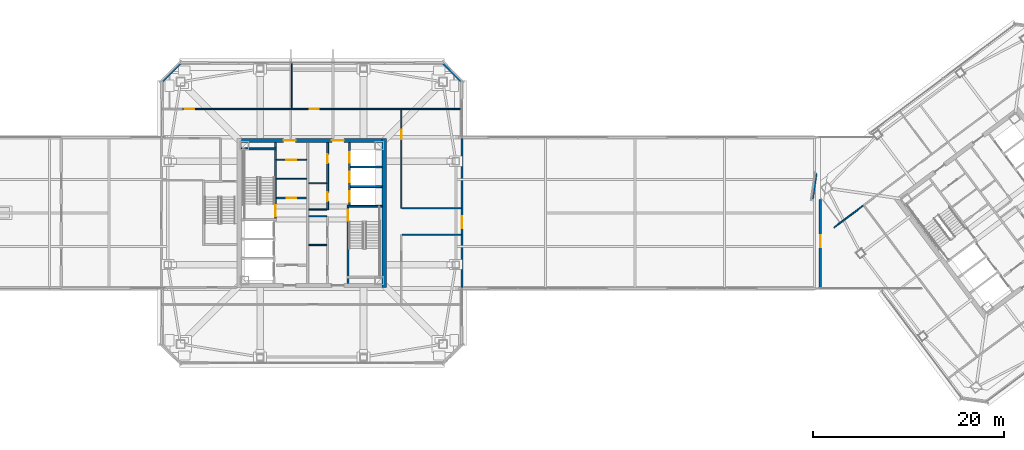
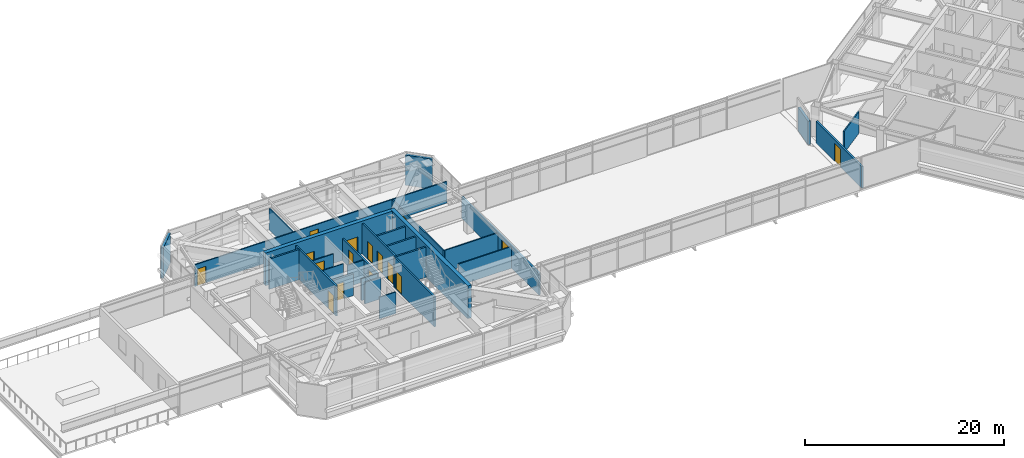
# One storey, part 42 of 51: 29 walls, 16 doors, 16 openings.
"""IFC4 building model written with IfcOpenShell, lengths in metres."""

from ifc_helpers import new_model, si_unit, direction, frame, frame_2d, origin, place, context, subcontext, project, spatial, rectangle, extrude, material, layer, layer_set, type_object, element, fill, save


model = new_model("IFC4")

# Units and contexts
model_context = context("Model", 3, precision=1e-05, world=origin(), true_north=direction((0.0, 1.0)))
body_context = subcontext(model_context, "Body", "Model", "MODEL_VIEW")
ifc_project = project(units=[si_unit("LENGTHUNIT", "METRE"), si_unit("AREAUNIT", "SQUARE_METRE"), si_unit("VOLUMEUNIT", "CUBIC_METRE"), si_unit("PLANEANGLEUNIT", "RADIAN"), si_unit("MASSUNIT", "GRAM", prefix="KILO")], contexts=[model_context])

# Site, building, storey
site_placement = place(None, origin())
site = spatial("IfcSite", under=ifc_project, at=site_placement, CompositionType="ELEMENT")
building_placement = place(site_placement, origin())
building = spatial("IfcBuilding", under=site, at=building_placement, Name="Tashvorn Skyway Center", CompositionType="ELEMENT")
storey_placement = place(building_placement, frame((0.0, 0.0, 259.39990234375)))
storey = spatial("IfcBuildingStorey", under=building, at=storey_placement, Name="L70", CompositionType="ELEMENT", Elevation=259.39990234375)

# Wall
ifc_material_1 = material(Name="Concrete C50/60", Category="concrete")
ifc_layer_1 = layer(ifc_material_1, 0.449951171875)
ifc_layer_set_1 = layer_set([ifc_layer_1], Name="Concrete C50/60")
wall_type_1 = type_object("IfcWallType", Name="WALL-CORE-450", PredefinedType="SHEAR", material=ifc_layer_set_1)
wall_1_placement = place(storey_placement, frame((49.574951171875, 39.800048828125, 0.0), z_axis=(0.0, 0.0, 1.0), x_axis=(0.0, -1.0, 0.0)))
element("IfcWall", 1, at=wall_1_placement, inside=storey, type_object=wall_type_1, Name="Tower 1 L70 East Core Shear Wall", PredefinedType="SHEAR", context=body_context, shape_type="SweptSolid", body=[
    extrude(rectangle(XDim=15.60009765625, YDim=0.449951171875, at=frame_2d((7.800048828125, 0.0))), origin(), (0.0, 0.0, 1.0), 4.0),
])

# Wall, openings, doors
wall_2_placement = place(storey_placement, frame((34.64990234375, 39.574951171875, 0.0), z_axis=(0.0, 0.0, 1.0), x_axis=(1.0, 0.0, 0.0)))
wall_2 = element("IfcWall", 2, at=wall_2_placement, inside=storey, type_object=wall_type_1, Name="Tower 1 L70 North Core Shear Wall", PredefinedType="SHEAR", context=body_context, shape_type="SweptSolid", body=[
    extrude(rectangle(XDim=14.7001953125, YDim=0.449951171875, at=frame_2d((7.35009765625, 0.0))), origin(), (0.0, 0.0, 1.0), 4.0),
])
opening_1_placement = place(wall_2_placement, frame((4.39990234375, 0.0, 0.0)))
opening_1 = element("IfcOpeningElement", 3, at=opening_1_placement, cuts=wall_2, Name="Opening D-FFL-1250", PredefinedType="OPENING", context=body_context, shape_type="SweptSolid", body=[
    extrude(rectangle(XDim=1.25, YDim=2.25, at=frame_2d((0.625, 1.125))), frame((0.0, 0.23486328125, 0.0), z_axis=(0.0, -1.0, 0.0), x_axis=(1.0, 0.0, 0.0)), (0.0, 0.0, 1.0), 0.469970703125),
])
opening_2_placement = place(wall_2_placement, frame((9.449951171875, 0.0, 0.0)))
opening_2 = element("IfcOpeningElement", 4, at=opening_2_placement, cuts=wall_2, Name="Opening D-FFL-1250", PredefinedType="OPENING", context=body_context, shape_type="SweptSolid", body=[
    extrude(rectangle(XDim=1.25, YDim=2.25, at=frame_2d((0.625, 1.125))), frame((0.0, 0.23486328125, 0.0), z_axis=(0.0, -1.0, 0.0), x_axis=(1.0, 0.0, 0.0)), (0.0, 0.0, 1.0), 0.469970703125),
])
ifc_material_2 = material(Name="Hollow galvanized steel fire door assembly", Category="steel")
door_type_1 = type_object("IfcDoorType", Name="DOOR-FFL-1250", OperationType="NOTDEFINED", PredefinedType="DOOR", material=ifc_material_2)
door_1_placement = place(opening_1_placement, origin())
door_1 = element("IfcDoor", 5, at=door_1_placement, inside=storey, type_object=door_type_1, Name="Tower 1 L70 Core North Service Lobby Door", OperationType="SINGLE_SWING_LEFT", OverallHeight=2.25, OverallWidth=1.25, PredefinedType="DOOR", context=body_context, shape_type="SweptSolid", body=[
    extrude(rectangle(XDim=1.25, YDim=2.25, at=frame_2d((0.625, 1.125))), frame((0.0, 0.02490234375, 0.0), z_axis=(0.0, -1.0, 0.0), x_axis=(1.0, 0.0, 0.0)), (0.0, 0.0, 1.0), 0.050048828125),
])
fill(opening_1, door_1)
door_2_placement = place(opening_2_placement, origin())
door_2 = element("IfcDoor", 6, at=door_2_placement, inside=storey, type_object=door_type_1, Name="Tower 1 L70 Core North Lift Lobby Door", OperationType="SINGLE_SWING_RIGHT", OverallHeight=2.25, OverallWidth=1.25, PredefinedType="DOOR", context=body_context, shape_type="SweptSolid", body=[
    extrude(rectangle(XDim=1.25, YDim=2.25, at=frame_2d((0.625, 1.125))), frame((0.0, 0.02490234375, 0.0), z_axis=(0.0, -1.0, 0.0), x_axis=(1.0, 0.0, 0.0)), (0.0, 0.0, 1.0), 0.050048828125),
])
fill(opening_2, door_2)

# Walls
ifc_material_3 = material(Name="Precast concrete C40/50", Category="concrete")
ifc_layer_2 = layer(ifc_material_3, 0.280029296875)
ifc_layer_set_2 = layer_set([ifc_layer_2], Name="Precast concrete C40/50")
wall_type_2 = type_object("IfcWallType", Name="WALL-EXT-280", PredefinedType="SOLIDWALL", material=ifc_layer_set_2)
for number, where, z_axis, x_axis, name in (
    (7, (26.300048828125, 45.699951171875, 0.0), (0.0, 0.0, 1.0), (0.707106781187, 0.707106781187, 0.0), "Tower 1 L70 NW Precast Chamfer Wall"),
    (8, (55.699951171875, 47.699951171875, 0.0), (0.0, 0.0, 1.0), (0.707106781187, -0.707106781187, 0.0), "Tower 1 L70 NE Precast Chamfer Wall"),
):
    element("IfcWall", number, at=place(storey_placement, frame(where, z_axis=z_axis, x_axis=x_axis)), inside=storey, type_object=wall_type_2, Name=name, PredefinedType="SOLIDWALL", context=body_context, shape_type="SweptSolid", body=[
        extrude(rectangle(XDim=2.828369140625, YDim=0.280029296875, at=frame_2d((1.4140625, 0.0))), origin(), (0.0, 0.0, 1.0), 3.7001953125),
    ])
wall_3_placement = place(storey_placement, frame((94.280029296875, 33.4599609375, 0.0), z_axis=(0.0, 0.0, 1.0), x_axis=(0.141370477216, 0.989956760759, 0.0)))
element("IfcWall", 9, at=wall_3_placement, inside=storey, type_object=wall_type_2, Name="Tower 2 L70 NW Precast Chamfer Wall", PredefinedType="SOLIDWALL", context=body_context, shape_type="SweptSolid", body=[
    extrude(rectangle(XDim=2.687255859375, YDim=0.280029296875, at=frame_2d((1.34375, 0.0))), origin(), (0.0, 0.0, 1.0), 2.880126953125),
])

# Wall, opening, door
ifc_material_4 = material(Name="Concrete C40/50", Category="concrete")
ifc_layer_3 = layer(ifc_material_4, 0.219970703125)
ifc_layer_set_3 = layer_set([ifc_layer_3], Name="Concrete C40/50")
wall_type_3 = type_object("IfcWallType", Name="WALL-FFL-220", PredefinedType="SOLIDWALL", material=ifc_layer_set_3)
wall_4_placement = place(storey_placement, frame((57.699951171875, 24.219970703125, 0.0), z_axis=(0.0, 0.0, 1.0), x_axis=(0.0, 1.0, 0.0)))
wall_4 = element("IfcWall", 10, at=wall_4_placement, inside=storey, type_object=wall_type_3, Name="L70 Sky-Park Tower 1 Fire Separation Wall", PredefinedType="SOLIDWALL", context=body_context, shape_type="SweptSolid", body=[
    extrude(rectangle(XDim=15.56005859375, YDim=0.219970703125, at=frame_2d((7.780029296875, 0.0))), origin(), (0.0, 0.0, 1.0), 2.6591796875),
])
opening_3_placement = place(wall_4_placement, frame((6.199951171875, 0.0, 0.0)))
opening_3 = element("IfcOpeningElement", 11, at=opening_3_placement, cuts=wall_4, Name="Opening D-FFL-1250", PredefinedType="OPENING", context=body_context, shape_type="SweptSolid", body=[
    extrude(rectangle(XDim=1.25, YDim=2.25, at=frame_2d((0.625, 1.125))), frame((0.0, 0.119873046875, 0.0), z_axis=(0.0, -1.0, 0.0), x_axis=(1.0, 0.0, 0.0)), (0.0, 0.0, 1.0), 0.239990234375),
])
door_3_placement = place(opening_3_placement, origin())
door_3 = element("IfcDoor", 12, at=door_3_placement, inside=storey, type_object=door_type_1, Name="L70 Sky-Park Bridge West Fire Door", OperationType="SINGLE_SWING_LEFT", OverallHeight=2.25, OverallWidth=1.25, PredefinedType="DOOR", context=body_context, shape_type="SweptSolid", body=[
    extrude(rectangle(XDim=1.25, YDim=2.25, at=frame_2d((0.625, 1.125))), frame((0.0, 0.02490234375, 0.0), z_axis=(0.0, -1.0, 0.0), x_axis=(1.0, 0.0, 0.0)), (0.0, 0.0, 1.0), 0.050048828125),
])
fill(opening_3, door_3)

wall_5_placement = place(storey_placement, frame((95.1201171875, 24.219970703125, 0.0), z_axis=(0.0, 0.0, 1.0), x_axis=(0.0, 1.0, 0.0)))
wall_5 = element("IfcWall", 13, at=wall_5_placement, inside=storey, type_object=wall_type_3, Name="L70 Sky-Park Tower 2 Fire Separation Wall", PredefinedType="SOLIDWALL", context=body_context, shape_type="SweptSolid", body=[
    extrude(rectangle(XDim=9.179931640625, YDim=0.219970703125, at=frame_2d((4.58984375, 0.0))), origin(), (0.0, 0.0, 1.0), 2.6591796875),
])
opening_4_placement = place(wall_5_placement, frame((4.199951171875, 0.0, 0.0)))
opening_4 = element("IfcOpeningElement", 14, at=opening_4_placement, cuts=wall_5, Name="Opening D-FFL-1250", PredefinedType="OPENING", context=body_context, shape_type="SweptSolid", body=[
    extrude(rectangle(XDim=1.25, YDim=2.25, at=frame_2d((0.625, 1.125))), frame((0.0, 0.119873046875, 0.0), z_axis=(0.0, -1.0, 0.0), x_axis=(1.0, 0.0, 0.0)), (0.0, 0.0, 1.0), 0.239990234375),
])
door_4_placement = place(opening_4_placement, origin())
door_4 = element("IfcDoor", 15, at=door_4_placement, inside=storey, type_object=door_type_1, Name="L70 Sky-Park Bridge East Fire Door", OperationType="SINGLE_SWING_RIGHT", OverallHeight=2.25, OverallWidth=1.25, PredefinedType="DOOR", context=body_context, shape_type="SweptSolid", body=[
    extrude(rectangle(XDim=1.25, YDim=2.25, at=frame_2d((0.625, 1.125))), frame((0.0, 0.02490234375, 0.0), z_axis=(0.0, -1.0, 0.0), x_axis=(1.0, 0.0, 0.0)), (0.0, 0.0, 1.0), 0.050048828125),
])
fill(opening_4, door_4)

wall_6_placement = place(storey_placement, frame((38.300048828125, 33.56005859375, 0.0), z_axis=(0.0, 0.0, 1.0), x_axis=(1.0, 0.0, 0.0)))
wall_6 = element("IfcWall", 16, at=wall_6_placement, inside=storey, type_object=wall_type_3, Name="Tower 1 L70 Firefighting Lobby North Wall", PredefinedType="SOLIDWALL", context=body_context, shape_type="SweptSolid", body=[
    extrude(rectangle(XDim=3.14990234375, YDim=0.219970703125, at=frame_2d((1.574951171875, 0.0))), origin(), (0.0, 0.0, 1.0), 2.6591796875),
])
opening_5_placement = place(wall_6_placement, frame((1.10009765625, 0.0, 0.0)))
opening_5 = element("IfcOpeningElement", 17, at=opening_5_placement, cuts=wall_6, Name="Opening D-RT-950", PredefinedType="OPENING", context=body_context, shape_type="SweptSolid", body=[
    extrude(rectangle(XDim=0.949951171875, YDim=2.050048828125, at=frame_2d((0.47509765625, 1.02490234375))), frame((0.0, 0.119873046875, 0.0), z_axis=(0.0, -1.0, 0.0), x_axis=(1.0, 0.0, 0.0)), (0.0, 0.0, 1.0), 0.239990234375),
])
door_type_2 = type_object("IfcDoorType", Name="DOOR-RATED-950", OperationType="NOTDEFINED", PredefinedType="DOOR", material=ifc_material_2)
door_5_placement = place(opening_5_placement, origin())
door_5 = element("IfcDoor", 18, at=door_5_placement, inside=storey, type_object=door_type_2, Name="Tower 1 L70 Core Linen Store Door", OperationType="SINGLE_SWING_LEFT", OverallHeight=2.050048828125, OverallWidth=0.949951171875, PredefinedType="DOOR", context=body_context, shape_type="SweptSolid", body=[
    extrude(rectangle(XDim=0.949951171875, YDim=2.050048828125, at=frame_2d((0.47509765625, 1.02490234375))), frame((0.0, 0.02490234375, 0.0), z_axis=(0.0, -1.0, 0.0), x_axis=(1.0, 0.0, 0.0)), (0.0, 0.0, 1.0), 0.050048828125),
])
fill(opening_5, door_5)

# Wall
ifc_material_5 = material(Name="Gypsum board on cold-formed steel stud framing", Category="steel")
ifc_layer_4 = layer(ifc_material_5, 0.110107421875)
ifc_layer_set_4 = layer_set([ifc_layer_4], Name="Gypsum board on cold-formed steel stud framing")
wall_type_4 = type_object("IfcWallType", Name="WALL-PART-110", PredefinedType="PARTITIONING", material=ifc_layer_set_4)
wall_7_placement = place(storey_placement, frame((39.89990234375, 42.929931640625, 0.0), z_axis=(0.0, 0.0, 1.0), x_axis=(0.0, 1.0, 0.0)))
element("IfcWall", 19, at=wall_7_placement, inside=storey, type_object=wall_type_4, Name="Tower 1 L70 North Suite Partition 1", PredefinedType="PARTITIONING", context=body_context, shape_type="SweptSolid", body=[
    extrude(rectangle(XDim=4.75, YDim=0.110107421875, at=frame_2d((2.375, 0.0))), origin(), (0.0, 0.0, 1.0), 2.6591796875),
])

# Wall, openings, doors
ifc_layer_5 = layer(ifc_material_5, 0.135009765625)
ifc_layer_set_5 = layer_set([ifc_layer_5], Name="Gypsum board on cold-formed steel stud framing")
wall_type_5 = type_object("IfcWallType", Name="WALL-PART-135", PredefinedType="PARTITIONING", material=ifc_layer_set_5)
wall_8_placement = place(storey_placement, frame((28.449951171875, 42.85009765625, 0.0), z_axis=(0.0, 0.0, 1.0), x_axis=(1.0, 0.0, 0.0)))
wall_8 = element("IfcWall", 20, at=wall_8_placement, inside=storey, type_object=wall_type_5, Name="Tower 1 L70 North Suite Wall", PredefinedType="PARTITIONING", context=body_context, shape_type="SweptSolid", body=[
    extrude(rectangle(XDim=22.900146484375, YDim=0.135009765625, at=frame_2d((11.4501953125, 0.0))), origin(), (0.0, 0.0, 1.0), 2.6591796875),
])
opening_6_placement = place(wall_8_placement, frame((0.300048828125, 0.0, 0.0)))
opening_6 = element("IfcOpeningElement", 21, at=opening_6_placement, cuts=wall_8, Name="Opening D-INT-950", PredefinedType="OPENING", context=body_context, shape_type="SweptSolid", body=[
    extrude(rectangle(XDim=0.949951171875, YDim=2.050048828125, at=frame_2d((0.47509765625, 1.02490234375))), frame((0.0, 0.077392578125, 0.0), z_axis=(0.0, -1.0, 0.0), x_axis=(1.0, 0.0, 0.0)), (0.0, 0.0, 1.0), 0.155029296875),
])
opening_7_placement = place(wall_8_placement, frame((13.3408203125, 0.0, 0.0)))
opening_7 = element("IfcOpeningElement", 22, at=opening_7_placement, cuts=wall_8, Name="Opening D-INT-950", PredefinedType="OPENING", context=body_context, shape_type="SweptSolid", body=[
    extrude(rectangle(XDim=0.949951171875, YDim=2.050048828125, at=frame_2d((0.47509765625, 1.02490234375))), frame((0.0, 0.077392578125, 0.0), z_axis=(0.0, -1.0, 0.0), x_axis=(1.0, 0.0, 0.0)), (0.0, 0.0, 1.0), 0.155029296875),
])
ifc_material_6 = material(Name="Solid-core architectural oak veneer door")
door_type_3 = type_object("IfcDoorType", Name="DOOR-INT-950", OperationType="NOTDEFINED", PredefinedType="DOOR", material=ifc_material_6)
door_6_placement = place(opening_6_placement, origin())
door_6 = element("IfcDoor", 23, at=door_6_placement, inside=storey, type_object=door_type_3, Name="Tower 1 L70 Conference Room Door", OperationType="SINGLE_SWING_LEFT", OverallHeight=2.050048828125, OverallWidth=0.949951171875, PredefinedType="DOOR", context=body_context, shape_type="SweptSolid", body=[
    extrude(rectangle(XDim=0.949951171875, YDim=2.050048828125, at=frame_2d((0.47509765625, 1.02490234375))), frame((0.0, 0.02490234375, 0.0), z_axis=(0.0, -1.0, 0.0), x_axis=(1.0, 0.0, 0.0)), (0.0, 0.0, 1.0), 0.050048828125),
])
fill(opening_6, door_6)
door_7_placement = place(opening_7_placement, origin())
door_7 = element("IfcDoor", 24, at=door_7_placement, inside=storey, type_object=door_type_3, Name="Tower 1 L70 Conference Room Door", OperationType="SINGLE_SWING_RIGHT", OverallHeight=2.050048828125, OverallWidth=0.949951171875, PredefinedType="DOOR", context=body_context, shape_type="SweptSolid", body=[
    extrude(rectangle(XDim=0.949951171875, YDim=2.050048828125, at=frame_2d((0.47509765625, 1.02490234375))), frame((0.0, 0.02490234375, 0.0), z_axis=(0.0, -1.0, 0.0), x_axis=(1.0, 0.0, 0.0)), (0.0, 0.0, 1.0), 0.050048828125),
])
fill(opening_7, door_7)

# Wall
wall_9_placement = place(storey_placement, frame((51.35009765625, 42.85009765625, 0.0), z_axis=(0.0, 0.0, 1.0), x_axis=(1.0, 0.0, 0.0)))
element("IfcWall", 25, at=wall_9_placement, inside=storey, type_object=wall_type_5, Name="Tower 1 L70 North-East Suite South Wall", PredefinedType="PARTITIONING", context=body_context, shape_type="SweptSolid", body=[
    extrude(rectangle(XDim=6.329833984375, YDim=0.135009765625, at=frame_2d((3.1650390625, 0.0))), origin(), (0.0, 0.0, 1.0), 2.6591796875),
])

# Wall, opening, door
wall_10_placement = place(storey_placement, frame((51.35009765625, 42.77001953125, 0.0), z_axis=(0.0, 0.0, 1.0), x_axis=(0.0, -1.0, 0.0)))
wall_10 = element("IfcWall", 26, at=wall_10_placement, inside=storey, type_object=wall_type_5, Name="Tower 1 L70 East North Suite Wall", PredefinedType="PARTITIONING", context=body_context, shape_type="SweptSolid", body=[
    extrude(rectangle(XDim=10.2900390625, YDim=0.135009765625, at=frame_2d((5.14501953125, 0.0))), origin(), (0.0, 0.0, 1.0), 2.6591796875),
])
opening_8_placement = place(wall_10_placement, frame((2.10009765625, 0.0, 0.0)))
opening_8 = element("IfcOpeningElement", 27, at=opening_8_placement, cuts=wall_10, Name="Opening D-INT-950", PredefinedType="OPENING", context=body_context, shape_type="SweptSolid", body=[
    extrude(rectangle(XDim=0.949951171875, YDim=2.050048828125, at=frame_2d((0.47509765625, 1.02490234375))), frame((0.0, 0.077392578125, 0.0), z_axis=(0.0, -1.0, 0.0), x_axis=(1.0, 0.0, 0.0)), (0.0, 0.0, 1.0), 0.155029296875),
])
door_8_placement = place(opening_8_placement, origin())
door_8 = element("IfcDoor", 28, at=door_8_placement, inside=storey, type_object=door_type_3, Name="Tower 1 L70 Breakout Lounge Door", OperationType="SINGLE_SWING_RIGHT", OverallHeight=2.050048828125, OverallWidth=0.949951171875, PredefinedType="DOOR", context=body_context, shape_type="SweptSolid", body=[
    extrude(rectangle(XDim=0.949951171875, YDim=2.050048828125, at=frame_2d((0.47509765625, 1.02490234375))), frame((0.0, 0.02490234375, 0.0), z_axis=(0.0, -1.0, 0.0), x_axis=(1.0, 0.0, 0.0)), (0.0, 0.0, 1.0), 0.050048828125),
])
fill(opening_8, door_8)

# Walls
for number, where, z_axis, x_axis, name in (
    (29, (51.429931640625, 32.47998046875, 0.0), (0.0, 0.0, 1.0), (1.0, 0.0, 0.0), "Tower 1 L70 Bridge Arm North Wall"),
    (30, (57.6201171875, 29.719970703125, 0.0), (0.0, 0.0, 1.0), (-1.0, 0.0, 0.0), "Tower 1 L70 Bridge Arm South Wall"),
):
    element("IfcWall", number, at=place(storey_placement, frame(where, z_axis=z_axis, x_axis=x_axis)), inside=storey, type_object=wall_type_5, Name=name, PredefinedType="PARTITIONING", context=body_context, shape_type="SweptSolid", body=[
        extrude(rectangle(XDim=6.190185546875, YDim=0.135009765625, at=frame_2d((3.09521484375, 0.0))), origin(), (0.0, 0.0, 1.0), 2.6591796875),
    ])
wall_11_placement = place(storey_placement, frame((99.5859375, 32.751953125, 0.0), z_axis=(0.0, 0.0, 1.0), x_axis=(-0.8, -0.6, 0.0)))
element("IfcWall", 31, at=wall_11_placement, inside=storey, type_object=wall_type_5, Name="Tower 2 L70 West Suite North Wall", PredefinedType="PARTITIONING", context=body_context, shape_type="SweptSolid", body=[
    extrude(rectangle(XDim=3.800048828125, YDim=0.135009765625, at=frame_2d((1.89990234375, 0.0))), origin(), (0.0, 0.0, 1.0), 2.6591796875),
])
ifc_layer_6 = layer(ifc_material_5, 0.110107421875)
ifc_layer_set_6 = layer_set([ifc_layer_6], Name="Gypsum board on cold-formed steel stud framing")
wall_type_6 = type_object("IfcWallType", Name="WALL-RATED-110", PredefinedType="PARTITIONING", material=ifc_layer_set_6)
wall_12_placement = place(storey_placement, frame((38.300048828125, 35.550048828125, 0.0), z_axis=(0.0, 0.0, 1.0), x_axis=(1.0, 0.0, 0.0)))
element("IfcWall", 32, at=wall_12_placement, inside=storey, type_object=wall_type_6, Name="Tower 1 L70 Core Transverse Wall", PredefinedType="PARTITIONING", context=body_context, shape_type="SweptSolid", body=[
    extrude(rectangle(XDim=3.14990234375, YDim=0.110107421875, at=frame_2d((1.574951171875, 0.0))), origin(), (0.0, 0.0, 1.0), 2.6591796875),
])

# Wall, opening, door
ifc_layer_7 = layer(ifc_material_5, 0.135009765625)
ifc_layer_set_7 = layer_set([ifc_layer_7], Name="Gypsum board on cold-formed steel stud framing")
wall_type_7 = type_object("IfcWallType", Name="WALL-RATED-135", PredefinedType="PARTITIONING", material=ifc_layer_set_7)
wall_13_placement = place(storey_placement, frame((38.300048828125, 37.550048828125, 0.0), z_axis=(0.0, 0.0, 1.0), x_axis=(1.0, 0.0, 0.0)))
wall_13 = element("IfcWall", 33, at=wall_13_placement, inside=storey, type_object=wall_type_7, Name="Tower 1 L70 Core Service Lobby Wall", PredefinedType="PARTITIONING", context=body_context, shape_type="SweptSolid", body=[
    extrude(rectangle(XDim=3.14990234375, YDim=0.135009765625, at=frame_2d((1.574951171875, 0.0))), origin(), (0.0, 0.0, 1.0), 2.6591796875),
])
opening_9_placement = place(wall_13_placement, frame((1.050048828125, 0.0, 0.0)))
opening_9 = element("IfcOpeningElement", 34, at=opening_9_placement, cuts=wall_13, Name="Opening D-RT-1050", PredefinedType="OPENING", context=body_context, shape_type="SweptSolid", body=[
    extrude(rectangle(XDim=1.050048828125, YDim=2.199951171875, at=frame_2d((0.52490234375, 1.10009765625))), frame((0.0, 0.077392578125, 0.0), z_axis=(0.0, -1.0, 0.0), x_axis=(1.0, 0.0, 0.0)), (0.0, 0.0, 1.0), 0.155029296875),
])
door_type_4 = type_object("IfcDoorType", Name="DOOR-RATED-1050", OperationType="NOTDEFINED", PredefinedType="DOOR", material=ifc_material_2)
door_9_placement = place(opening_9_placement, origin())
door_9 = element("IfcDoor", 35, at=door_9_placement, inside=storey, type_object=door_type_4, Name="Tower 1 L70 Core Accessible WC Door", OperationType="SINGLE_SWING_RIGHT", OverallHeight=2.199951171875, OverallWidth=1.050048828125, PredefinedType="DOOR", context=body_context, shape_type="SweptSolid", body=[
    extrude(rectangle(XDim=1.050048828125, YDim=2.199951171875, at=frame_2d((0.52490234375, 1.10009765625))), frame((0.0, 0.02490234375, 0.0), z_axis=(0.0, -1.0, 0.0), x_axis=(1.0, 0.0, 0.0)), (0.0, 0.0, 1.0), 0.050048828125),
])
fill(opening_9, door_9)

# Walls
for number, where, z_axis, x_axis, name in (
    (36, (41.669921875, 31.64990234375, 0.0), (0.0, 0.0, 1.0), (1.0, 0.0, 0.0), "Tower 1 L70 Core Room Partition"),
    (37, (41.669921875, 28.64990234375, 0.0), (0.0, 0.0, 1.0), (1.0, 0.0, 0.0), "Tower 1 L70 Freed Core Partition"),
    (38, (41.669921875, 32.35009765625, 0.0), (0.0, 0.0, 1.0), (1.0, 0.0, 0.0), "Tower 1 L70 Core Room Partition"),
    (39, (41.669921875, 35.10009765625, 0.0), (0.0, 0.0, 1.0), (1.0, 0.0, 0.0), "Tower 1 L70 Freed Mid-Rise Partition"),
):
    element("IfcWall", number, at=place(storey_placement, frame(where, z_axis=z_axis, x_axis=x_axis)), inside=storey, type_object=wall_type_7, Name=name, PredefinedType="PARTITIONING", context=body_context, shape_type="SweptSolid", body=[
        extrude(rectangle(XDim=1.880126953125, YDim=0.135009765625, at=frame_2d((0.93994140625, 0.0))), origin(), (0.0, 0.0, 1.0), 2.6591796875),
    ])
ifc_layer_8 = layer(ifc_material_4, 0.199951171875)
ifc_layer_set_8 = layer_set([ifc_layer_8], Name="Concrete C40/50")
wall_type_8 = type_object("IfcWallType", Name="WALL-SHAFT-200", PredefinedType="SOLIDWALL", material=ifc_layer_set_8)
for number, where, z_axis, x_axis, name in (
    (40, (46.050048828125, 34.75, 0.0), (0.0, 0.0, 1.0), (1.0, 0.0, 0.0), "Tower 1 L70 High-Rise Shaft Divider"),
    (41, (46.050048828125, 36.800048828125, 0.0), (0.0, 0.0, 1.0), (1.0, 0.0, 0.0), "Tower 1 L70 High-Rise Shaft Divider"),
):
    element("IfcWall", number, at=place(storey_placement, frame(where, z_axis=z_axis, x_axis=x_axis)), inside=storey, type_object=wall_type_8, Name=name, PredefinedType="SOLIDWALL", context=body_context, shape_type="SweptSolid", body=[
        extrude(rectangle(XDim=3.300048828125, YDim=0.199951171875, at=frame_2d((1.64990234375, 0.0))), origin(), (0.0, 0.0, 1.0), 3.7001953125),
    ])

# Wall, openings, doors
wall_14_placement = place(storey_placement, frame((43.64990234375, 32.35009765625, 0.0), z_axis=(0.0, 0.0, 1.0), x_axis=(0.0, 1.0, 0.0)))
wall_14 = element("IfcWall", 42, at=wall_14_placement, inside=storey, type_object=wall_type_8, Name="Tower 1 L70 Mid-Rise Core Wall", PredefinedType="SOLIDWALL", context=body_context, shape_type="SweptSolid", body=[
    extrude(rectangle(XDim=7.0, YDim=0.199951171875, at=frame_2d((3.5, 0.0))), origin(), (0.0, 0.0, 1.0), 2.6591796875),
])
opening_10_placement = place(wall_14_placement, frame((0.85009765625, 0.0, 0.0)))
opening_10 = element("IfcOpeningElement", 43, at=opening_10_placement, cuts=wall_14, Name="Opening D-RT-950", PredefinedType="OPENING", context=body_context, shape_type="SweptSolid", body=[
    extrude(rectangle(XDim=0.949951171875, YDim=2.050048828125, at=frame_2d((0.47509765625, 1.02490234375))), frame((0.0, 0.10986328125, 0.0), z_axis=(0.0, -1.0, 0.0), x_axis=(1.0, 0.0, 0.0)), (0.0, 0.0, 1.0), 0.219970703125),
])
opening_11_placement = place(wall_14_placement, frame((4.85009765625, 0.0, 0.0)))
opening_11 = element("IfcOpeningElement", 44, at=opening_11_placement, cuts=wall_14, Name="Opening D-RT-950", PredefinedType="OPENING", context=body_context, shape_type="SweptSolid", body=[
    extrude(rectangle(XDim=0.949951171875, YDim=2.050048828125, at=frame_2d((0.47509765625, 1.02490234375))), frame((0.0, 0.10986328125, 0.0), z_axis=(0.0, -1.0, 0.0), x_axis=(1.0, 0.0, 0.0)), (0.0, 0.0, 1.0), 0.219970703125),
])
door_10_placement = place(opening_10_placement, origin())
door_10 = element("IfcDoor", 45, at=door_10_placement, inside=storey, type_object=door_type_2, Name="Tower 1 L70 Core IT Room Door", OperationType="SINGLE_SWING_RIGHT", OverallHeight=2.050048828125, OverallWidth=0.949951171875, PredefinedType="DOOR", context=body_context, shape_type="SweptSolid", body=[
    extrude(rectangle(XDim=0.949951171875, YDim=2.050048828125, at=frame_2d((0.47509765625, 1.02490234375))), frame((0.0, 0.02490234375, 0.0), z_axis=(0.0, -1.0, 0.0), x_axis=(1.0, 0.0, 0.0)), (0.0, 0.0, 1.0), 0.050048828125),
])
fill(opening_10, door_10)
door_11_placement = place(opening_11_placement, origin())
door_11 = element("IfcDoor", 46, at=door_11_placement, inside=storey, type_object=door_type_2, Name="Tower 1 L70 Core Catering Pantry Door", OperationType="SINGLE_SWING_LEFT", OverallHeight=2.050048828125, OverallWidth=0.949951171875, PredefinedType="DOOR", context=body_context, shape_type="SweptSolid", body=[
    extrude(rectangle(XDim=0.949951171875, YDim=2.050048828125, at=frame_2d((0.47509765625, 1.02490234375))), frame((0.0, 0.02490234375, 0.0), z_axis=(0.0, -1.0, 0.0), x_axis=(1.0, 0.0, 0.0)), (0.0, 0.0, 1.0), 0.050048828125),
])
fill(opening_11, door_11)

# Wall, opening, door
ifc_layer_9 = layer(ifc_material_4, 0.199951171875)
ifc_layer_set_9 = layer_set([ifc_layer_9], Name="Concrete C40/50")
wall_type_9 = type_object("IfcWallType", Name="WALL-STSHF-200", PredefinedType="SHEAR", material=ifc_layer_set_9)
wall_15_placement = place(storey_placement, frame((38.199951171875, 31.199951171875, 0.0), z_axis=(0.0, 0.0, 1.0), x_axis=(0.0, 1.0, 0.0)))
wall_15 = element("IfcWall", 47, at=wall_15_placement, inside=storey, type_object=wall_type_9, Name="Tower 1 L70 Stair 1 Enclosure Wall", PredefinedType="SHEAR", context=body_context, shape_type="SweptSolid", body=[
    extrude(rectangle(XDim=8.150146484375, YDim=0.199951171875, at=frame_2d((4.0751953125, 0.0))), origin(), (0.0, 0.0, 1.0), 3.7001953125),
])
opening_12_placement = place(wall_15_placement, frame((0.449951171875, 0.0, 0.0)))
opening_12 = element("IfcOpeningElement", 48, at=opening_12_placement, cuts=wall_15, Name="Opening D-ST-1150", PredefinedType="OPENING", context=body_context, shape_type="SweptSolid", body=[
    extrude(rectangle(XDim=1.14990234375, YDim=2.199951171875, at=frame_2d((0.574951171875, 1.10009765625))), frame((0.0, 0.10986328125, 0.0), z_axis=(0.0, -1.0, 0.0), x_axis=(1.0, 0.0, 0.0)), (0.0, 0.0, 1.0), 0.219970703125),
])
door_type_5 = type_object("IfcDoorType", Name="DOOR-STAIR-1150", OperationType="NOTDEFINED", PredefinedType="DOOR", material=ifc_material_2)
door_12_placement = place(opening_12_placement, origin())
door_12 = element("IfcDoor", 49, at=door_12_placement, inside=storey, type_object=door_type_5, Name="Tower 1 L70 Exit Stair 1 Door", OperationType="SINGLE_SWING_RIGHT", OverallHeight=2.199951171875, OverallWidth=1.14990234375, PredefinedType="DOOR", context=body_context, shape_type="SweptSolid", body=[
    extrude(rectangle(XDim=1.14990234375, YDim=2.199951171875, at=frame_2d((0.574951171875, 1.10009765625))), frame((0.0, 0.02490234375, 0.0), z_axis=(0.0, -1.0, 0.0), x_axis=(1.0, 0.0, 0.0)), (0.0, 0.0, 1.0), 0.050048828125),
])
fill(opening_12, door_12)

# Wall
wall_16_placement = place(storey_placement, frame((34.64990234375, 38.699951171875, 0.0), z_axis=(0.0, 0.0, 1.0), x_axis=(1.0, 0.0, 0.0)))
element("IfcWall", 50, at=wall_16_placement, inside=storey, type_object=wall_type_9, Name="Tower 1 L70 Stair 1 North Wall", PredefinedType="SHEAR", context=body_context, shape_type="SweptSolid", body=[
    extrude(rectangle(XDim=3.650146484375, YDim=0.199951171875, at=frame_2d((1.8251953125, 0.0))), origin(), (0.0, 0.0, 1.0), 3.7001953125),
])

# Wall, opening, door
wall_17_placement = place(storey_placement, frame((45.800048828125, 32.800048828125, 0.0), z_axis=(0.0, 0.0, 1.0), x_axis=(0.0, -1.0, 0.0)))
wall_17 = element("IfcWall", 51, at=wall_17_placement, inside=storey, type_object=wall_type_9, Name="Tower 1 L70 Stair 2 Enclosure Wall", PredefinedType="SHEAR", context=body_context, shape_type="SweptSolid", body=[
    extrude(rectangle(XDim=8.150146484375, YDim=0.199951171875, at=frame_2d((4.0751953125, 0.0))), origin(), (0.0, 0.0, 1.0), 3.7001953125),
])
opening_13_placement = place(wall_17_placement, frame((0.449951171875, 0.0, 0.0)))
opening_13 = element("IfcOpeningElement", 52, at=opening_13_placement, cuts=wall_17, Name="Opening D-ST-1150", PredefinedType="OPENING", context=body_context, shape_type="SweptSolid", body=[
    extrude(rectangle(XDim=1.14990234375, YDim=2.199951171875, at=frame_2d((0.574951171875, 1.10009765625))), frame((0.0, 0.10986328125, 0.0), z_axis=(0.0, -1.0, 0.0), x_axis=(1.0, 0.0, 0.0)), (0.0, 0.0, 1.0), 0.219970703125),
])
door_13_placement = place(opening_13_placement, origin())
door_13 = element("IfcDoor", 53, at=door_13_placement, inside=storey, type_object=door_type_5, Name="Tower 1 L70 Exit Stair 2 Door", OperationType="SINGLE_SWING_RIGHT", OverallHeight=2.199951171875, OverallWidth=1.14990234375, PredefinedType="DOOR", context=body_context, shape_type="SweptSolid", body=[
    extrude(rectangle(XDim=1.14990234375, YDim=2.199951171875, at=frame_2d((0.574951171875, 1.10009765625))), frame((0.0, 0.02490234375, 0.0), z_axis=(0.0, -1.0, 0.0), x_axis=(1.0, 0.0, 0.0)), (0.0, 0.0, 1.0), 0.050048828125),
])
fill(opening_13, door_13)

# Wall
wall_18_placement = place(storey_placement, frame((45.699951171875, 32.699951171875, 0.0), z_axis=(0.0, 0.0, 1.0), x_axis=(1.0, 0.0, 0.0)))
element("IfcWall", 54, at=wall_18_placement, inside=storey, type_object=wall_type_9, Name="Tower 1 L70 Stair 2 North Wall", PredefinedType="SHEAR", context=body_context, shape_type="SweptSolid", body=[
    extrude(rectangle(XDim=3.650146484375, YDim=0.199951171875, at=frame_2d((1.8251953125, 0.0))), origin(), (0.0, 0.0, 1.0), 3.7001953125),
])

# Wall, openings, doors
wall_19_placement = place(storey_placement, frame((45.949951171875, 39.35009765625, 0.0), z_axis=(0.0, 0.0, 1.0), x_axis=(0.0, -1.0, 0.0)))
wall_19 = element("IfcWall", 55, at=wall_19_placement, inside=storey, type_object=wall_type_9, Name="Tower 1 L70 High-Rise Lift Shaft Front Wall", PredefinedType="SHEAR", context=body_context, shape_type="SweptSolid", body=[
    extrude(rectangle(XDim=6.550048828125, YDim=0.199951171875, at=frame_2d((3.27490234375, 0.0))), origin(), (0.0, 0.0, 1.0), 3.7001953125),
])
opening_14_placement = place(wall_19_placement, frame((5.074951171875, 0.0, 0.0)))
opening_14 = element("IfcOpeningElement", 56, at=opening_14_placement, cuts=wall_19, Name="Opening LD-HR-T1-1-L70", PredefinedType="OPENING", context=body_context, shape_type="SweptSolid", body=[
    extrude(rectangle(XDim=1.10009765625, YDim=2.199951171875, at=frame_2d((0.550048828125, 1.10009765625))), frame((0.0, 0.10986328125, 0.0), z_axis=(0.0, -1.0, 0.0), x_axis=(1.0, 0.0, 0.0)), (0.0, 0.0, 1.0), 0.219970703125),
])
opening_15_placement = place(wall_19_placement, frame((3.02490234375, 0.0, 0.0)))
opening_15 = element("IfcOpeningElement", 57, at=opening_15_placement, cuts=wall_19, Name="Opening LD-HR-T1-2-L70", PredefinedType="OPENING", context=body_context, shape_type="SweptSolid", body=[
    extrude(rectangle(XDim=1.10009765625, YDim=2.199951171875, at=frame_2d((0.550048828125, 1.10009765625))), frame((0.0, 0.10986328125, 0.0), z_axis=(0.0, -1.0, 0.0), x_axis=(1.0, 0.0, 0.0)), (0.0, 0.0, 1.0), 0.219970703125),
])
opening_16_placement = place(wall_19_placement, frame((1.02490234375, 0.0, 0.0)))
opening_16 = element("IfcOpeningElement", 58, at=opening_16_placement, cuts=wall_19, Name="Opening LD-HR-T1-3-L70", PredefinedType="OPENING", context=body_context, shape_type="SweptSolid", body=[
    extrude(rectangle(XDim=1.10009765625, YDim=2.199951171875, at=frame_2d((0.550048828125, 1.10009765625))), frame((0.0, 0.10986328125, 0.0), z_axis=(0.0, -1.0, 0.0), x_axis=(1.0, 0.0, 0.0)), (0.0, 0.0, 1.0), 0.219970703125),
])
ifc_material_7 = material(Name="Stainless steel landing door", Category="steel")
door_type_6 = type_object("IfcDoorType", Name="DOOR-LIFT-1100", OperationType="SLIDING_TO_LEFT", PredefinedType="DOOR", material=ifc_material_7)
door_14_placement = place(opening_14_placement, origin())
door_14 = element("IfcDoor", 59, at=door_14_placement, inside=storey, type_object=door_type_6, Name="Lift HR-T1-1 L70 Landing Door", OperationType="SLIDING_TO_LEFT", OverallHeight=2.199951171875, OverallWidth=1.10009765625, PredefinedType="DOOR", context=body_context, shape_type="SweptSolid", body=[
    extrude(rectangle(XDim=1.10009765625, YDim=2.199951171875, at=frame_2d((0.550048828125, 1.10009765625))), frame((0.0, 0.02490234375, 0.0), z_axis=(0.0, -1.0, 0.0), x_axis=(1.0, 0.0, 0.0)), (0.0, 0.0, 1.0), 0.050048828125),
])
fill(opening_14, door_14)
door_15_placement = place(opening_15_placement, origin())
door_15 = element("IfcDoor", 60, at=door_15_placement, inside=storey, type_object=door_type_6, Name="Lift HR-T1-2 L70 Landing Door", OperationType="SLIDING_TO_LEFT", OverallHeight=2.199951171875, OverallWidth=1.10009765625, PredefinedType="DOOR", context=body_context, shape_type="SweptSolid", body=[
    extrude(rectangle(XDim=1.10009765625, YDim=2.199951171875, at=frame_2d((0.550048828125, 1.10009765625))), frame((0.0, 0.02490234375, 0.0), z_axis=(0.0, -1.0, 0.0), x_axis=(1.0, 0.0, 0.0)), (0.0, 0.0, 1.0), 0.050048828125),
])
fill(opening_15, door_15)
door_16_placement = place(opening_16_placement, origin())
door_16 = element("IfcDoor", 61, at=door_16_placement, inside=storey, type_object=door_type_6, Name="Lift HR-T1-3 L70 Landing Door", OperationType="SLIDING_TO_LEFT", OverallHeight=2.199951171875, OverallWidth=1.10009765625, PredefinedType="DOOR", context=body_context, shape_type="SweptSolid", body=[
    extrude(rectangle(XDim=1.10009765625, YDim=2.199951171875, at=frame_2d((0.550048828125, 1.10009765625))), frame((0.0, 0.02490234375, 0.0), z_axis=(0.0, -1.0, 0.0), x_axis=(1.0, 0.0, 0.0)), (0.0, 0.0, 1.0), 0.050048828125),
])
fill(opening_16, door_16)

save(model, "model.ifc")
